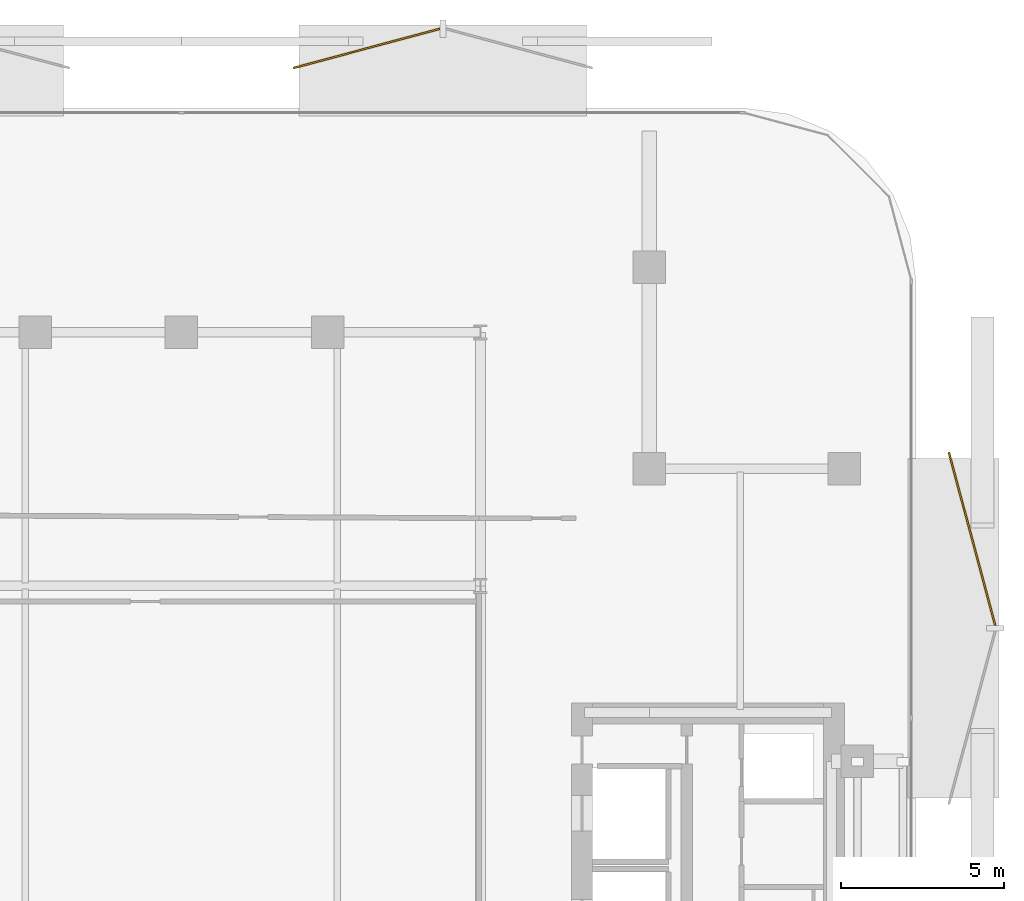
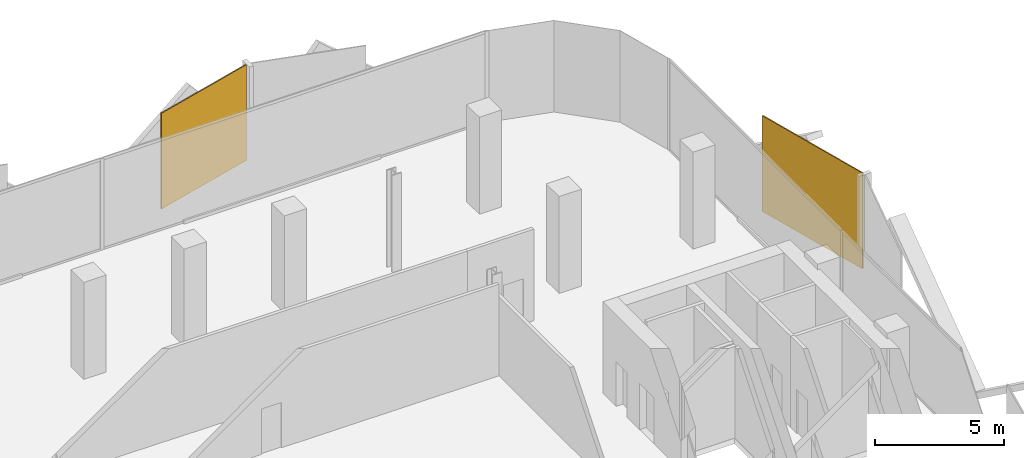
# One storey, part 14 of 14: 2 coverings.
"""IFC4 building model written with IfcOpenShell, lengths in metres."""

from ifc_helpers import new_model, si_unit, direction, frame, origin, origin_2d, place, context, subcontext, project, spatial, rectangle, extrude, material, layer, layer_set, type_object, element, save


model = new_model("IFC4")

# Units and contexts
model_context = context("Model", 3, precision=1e-05, world=origin(), true_north=direction((0.0, 1.0)))
body_context = subcontext(model_context, "Body", "Model", "MODEL_VIEW")
ifc_project = project(units=[si_unit("LENGTHUNIT", "METRE"), si_unit("AREAUNIT", "SQUARE_METRE"), si_unit("VOLUMEUNIT", "CUBIC_METRE"), si_unit("PLANEANGLEUNIT", "RADIAN"), si_unit("MASSUNIT", "GRAM", prefix="KILO")], contexts=[model_context])

# Site, building, storey
site_placement = place(None, origin())
site = spatial("IfcSite", under=ifc_project, at=site_placement, CompositionType="ELEMENT")
building_placement = place(site_placement, origin())
building = spatial("IfcBuilding", under=site, at=building_placement, Name="Khairoan Windgate Tower", CompositionType="ELEMENT")
storey_placement = place(building_placement, frame((0.0, 0.0, 160.39990234375)))
storey = spatial("IfcBuildingStorey", under=building, at=storey_placement, Name="L36", CompositionType="ELEMENT", Elevation=160.39990234375)

# Coverings
ifc_material = material(Name="Anodised Bronze Aluminium 6063-T6", Category="aluminium")
ifc_layer = layer(ifc_material, 0.054931640625, Name="Anodised Bronze Aluminium 6063-T6")
ifc_layer_set = layer_set([ifc_layer], Name="Anodised Bronze Aluminium 6063-T6")
covering_type = type_object("IfcCoveringType", Name="Perforated Bronze-Ceramic Folded Solar Screen Cladding BSC-1", PredefinedType="CLADDING", material=ifc_layer_set)
covering_1_placement = place(storey_placement, frame((5.701904296875, 27.336181640625, -0.099853515625), z_axis=(0.0, 0.0, 1.0), x_axis=(0.965925826289, 0.258819045103, 0.0)))
element("IfcCovering", 1, at=covering_1_placement, inside=storey, type_object=covering_type, Name="L36 Folded Bronze Solar Screen Facet 230L", PredefinedType="CLADDING", context=body_context, shape_type="SweptSolid", body=[
    extrude(rectangle(XDim=4.666015625, YDim=0.054931640625, at=origin_2d()), origin(), (0.0, 0.0, 1.0), 4.5400390625),
])
covering_2_placement = place(storey_placement, frame((24.327392578125, 12.2451171875, -0.099853515625), z_axis=(0.0, 0.0, 1.0), x_axis=(0.258819045103, -0.965925826289, 0.0)))
element("IfcCovering", 2, at=covering_2_placement, inside=storey, type_object=covering_type, Name="L36 Folded Bronze Solar Screen Facet 231L", PredefinedType="CLADDING", context=body_context, shape_type="SweptSolid", body=[
    extrude(rectangle(XDim=5.507080078125, YDim=0.054931640625, at=origin_2d()), origin(), (0.0, 0.0, 1.0), 4.5400390625),
])

save(model, "model.ifc")
